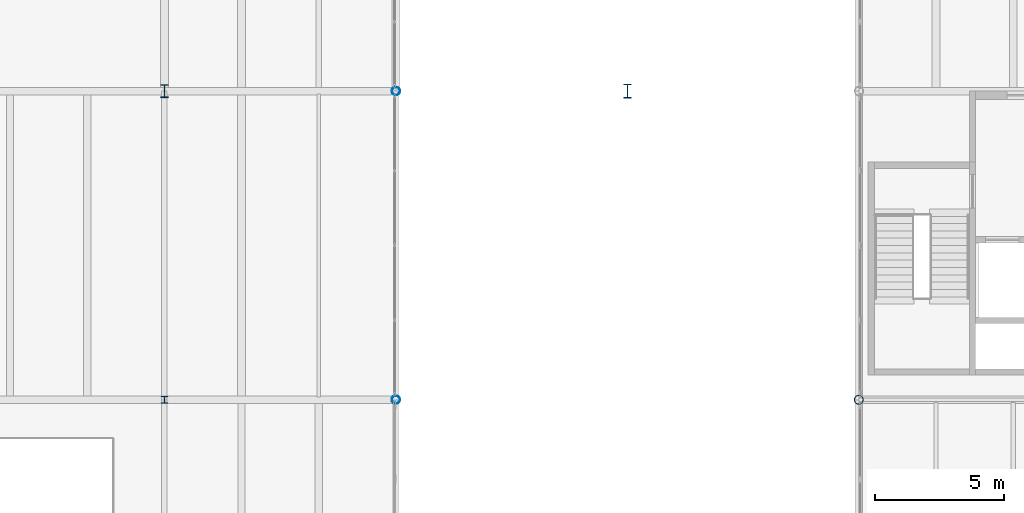
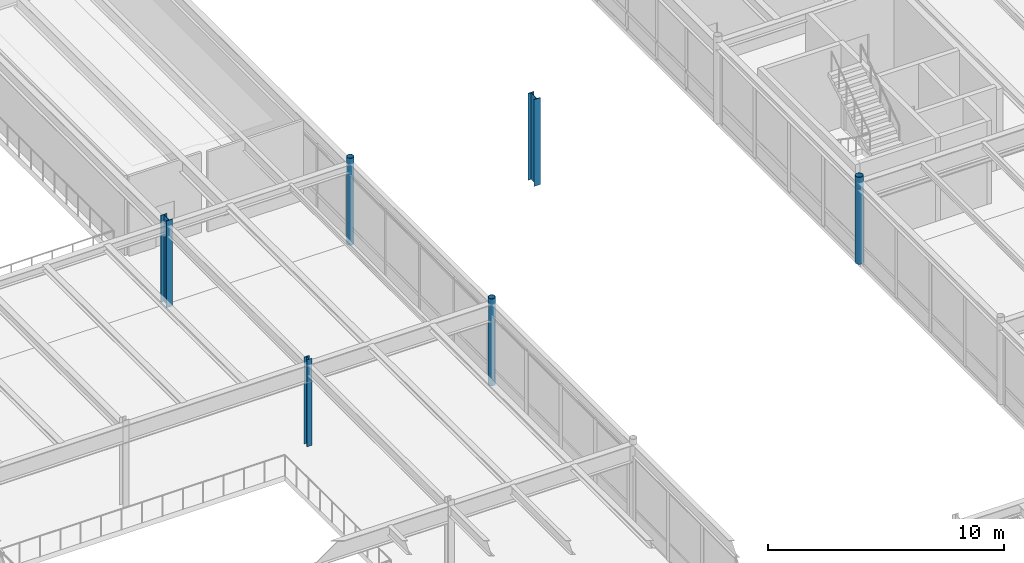
# One storey, part 12 of 127: 6 columns.
"""IFC4 building model written with IfcOpenShell, lengths in metres."""

from ifc_helpers import new_model, si_unit, direction, frame, origin, origin_2d, place, context, subcontext, project, spatial, hollow_circle, i_section, extrude, material, material_profile, profile_set, type_object, element, save


model = new_model("IFC4")

# Units and contexts
model_context = context("Model", 3, precision=1e-05, world=origin(), true_north=direction((0.0, 1.0)))
body_context = subcontext(model_context, "Body", "Model", "MODEL_VIEW")
ifc_project = project(units=[si_unit("LENGTHUNIT", "METRE"), si_unit("AREAUNIT", "SQUARE_METRE"), si_unit("VOLUMEUNIT", "CUBIC_METRE"), si_unit("PLANEANGLEUNIT", "RADIAN"), si_unit("MASSUNIT", "GRAM", prefix="KILO")], contexts=[model_context])

# Site, building, storey
site_placement = place(None, origin())
site = spatial("IfcSite", under=ifc_project, at=site_placement, CompositionType="ELEMENT")
building_placement = place(site_placement, origin())
building = spatial("IfcBuilding", under=site, at=building_placement, Name="Montelvaro Courts of Justice", CompositionType="ELEMENT")
storey_placement = place(building_placement, frame((0.0, 0.0, 5.39990234375)))
storey = spatial("IfcBuildingStorey", under=building, at=storey_placement, Name="L01", CompositionType="ELEMENT", Elevation=5.39990234375)

# Columns
ifc_material = material(Name="Steel S355", Category="steel")
ifc_material_profile_1 = material_profile(ifc_material, hollow_circle(Radius=0.161865234375, WallThickness=0.012451171875, at=origin_2d()), Name="CHS 323.9x12.5")
ifc_profile_set_1 = profile_set([ifc_material_profile_1], Name="Steel S355")
column_type_1 = type_object("IfcColumnType", Name="Col_CHS324", PredefinedType="PILASTER", material=ifc_profile_set_1)
for number, where, z_axis, x_axis, name in (
    (1, (81.0, 66.0, 0.0), (0.0, 0.0, 1.0), (1.0, 0.0, 0.0), "Column C-18 L01 10/F"),
    (2, (81.0, 78.0, 0.0), (0.0, 0.0, 1.0), (1.0, 0.0, 0.0), "Column C-18 L01 10/G"),
):
    element("IfcColumn", number, at=place(storey_placement, frame(where, z_axis=z_axis, x_axis=x_axis)), inside=storey, type_object=column_type_1, Name=name, PredefinedType="PILASTER", context=body_context, shape_type="SweptSolid", body=[
        extrude(hollow_circle(Radius=0.161865234375, WallThickness=0.012451171875, at=origin_2d()), origin(), (0.0, 0.0, 1.0), 4.5),
    ])
ifc_material_profile_2 = material_profile(ifc_material, hollow_circle(Radius=0.177734375, WallThickness=0.01611328125, at=origin_2d()), Name="CHS 355.6x16")
ifc_profile_set_2 = profile_set([ifc_material_profile_2], Name="Steel S355")
column_type_2 = type_object("IfcColumnType", Name="Col_CHS356", PredefinedType="PILASTER", material=ifc_profile_set_2)
column_1_placement = place(storey_placement, frame((99.0, 66.0, 0.0), z_axis=(0.0, 0.0, 1.0), x_axis=(1.0, 0.0, 0.0)))
element("IfcColumn", 3, at=column_1_placement, inside=storey, type_object=column_type_2, Name="Column C-19 L01 12/F", PredefinedType="PILASTER", context=body_context, shape_type="SweptSolid", body=[
    extrude(hollow_circle(Radius=0.177734375, WallThickness=0.01611328125, at=origin_2d()), origin(), (0.0, 0.0, 1.0), 4.5),
])
ifc_material_profile_3 = material_profile(ifc_material, i_section(OverallWidth=0.260009765625, OverallDepth=0.260009765625, WebThickness=0.010009765625, FlangeThickness=0.017578125, at=origin_2d()), Name="HEB 260")
ifc_profile_set_3 = profile_set([ifc_material_profile_3], Name="Steel S355")
column_type_3 = type_object("IfcColumnType", Name="Col_HEB260", PredefinedType="COLUMN", material=ifc_profile_set_3)
column_2_placement = place(storey_placement, frame((72.0, 66.0, 0.0), z_axis=(0.0, 0.0, 1.0), x_axis=(1.0, 0.0, 0.0)))
element("IfcColumn", 4, at=column_2_placement, inside=storey, type_object=column_type_3, Name="Column C-01 L01 9/F", PredefinedType="COLUMN", context=body_context, shape_type="SweptSolid", body=[
    extrude(i_section(OverallWidth=0.260009765625, OverallDepth=0.260009765625, WebThickness=0.010009765625, FlangeThickness=0.017578125, at=origin_2d()), origin(), (0.0, 0.0, 1.0), 4.5),
])
ifc_material_profile_4 = material_profile(ifc_material, i_section(OverallWidth=0.300048828125, OverallDepth=0.5, WebThickness=0.014404296875, FlangeThickness=0.028076171875, at=origin_2d()), Name="HEB 500")
ifc_profile_set_4 = profile_set([ifc_material_profile_4], Name="Steel S355")
column_type_4 = type_object("IfcColumnType", Name="Col_HEB500", PredefinedType="COLUMN", material=ifc_profile_set_4)
column_3_placement = place(storey_placement, frame((72.0, 78.0, 0.0), z_axis=(0.0, 0.0, 1.0), x_axis=(1.0, 0.0, 0.0)))
element("IfcColumn", 5, at=column_3_placement, inside=storey, type_object=column_type_4, Name="Column C-09 L01 9/G", PredefinedType="COLUMN", context=body_context, shape_type="SweptSolid", body=[
    extrude(i_section(OverallWidth=0.300048828125, OverallDepth=0.5, WebThickness=0.014404296875, FlangeThickness=0.028076171875, at=origin_2d()), origin(), (0.0, 0.0, 1.0), 4.5),
])
ifc_material_profile_5 = material_profile(ifc_material, i_section(OverallWidth=0.300048828125, OverallDepth=0.550048828125, WebThickness=0.014892578125, FlangeThickness=0.029052734375, at=origin_2d()), Name="HEB 550")
ifc_profile_set_5 = profile_set([ifc_material_profile_5], Name="Steel S355")
column_type_5 = type_object("IfcColumnType", Name="Col_HEB550", PredefinedType="COLUMN", material=ifc_profile_set_5)
column_4_placement = place(storey_placement, frame((90.0, 78.0, 0.0), z_axis=(0.0, 0.0, 1.0), x_axis=(1.0, 0.0, 0.0)))
element("IfcColumn", 6, at=column_4_placement, inside=storey, type_object=column_type_5, Name="Column C-10 L01 11/G", PredefinedType="COLUMN", context=body_context, shape_type="SweptSolid", body=[
    extrude(i_section(OverallWidth=0.300048828125, OverallDepth=0.550048828125, WebThickness=0.014892578125, FlangeThickness=0.029052734375, at=origin_2d()), origin(), (0.0, 0.0, 1.0), 4.5),
])

save(model, "model.ifc")
